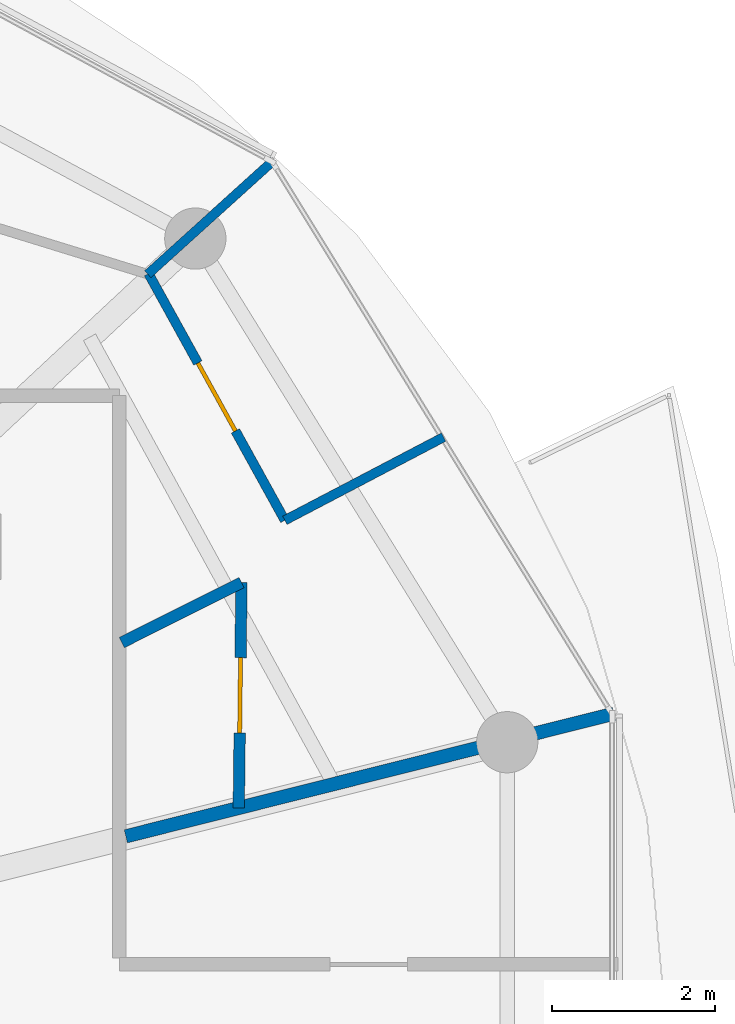
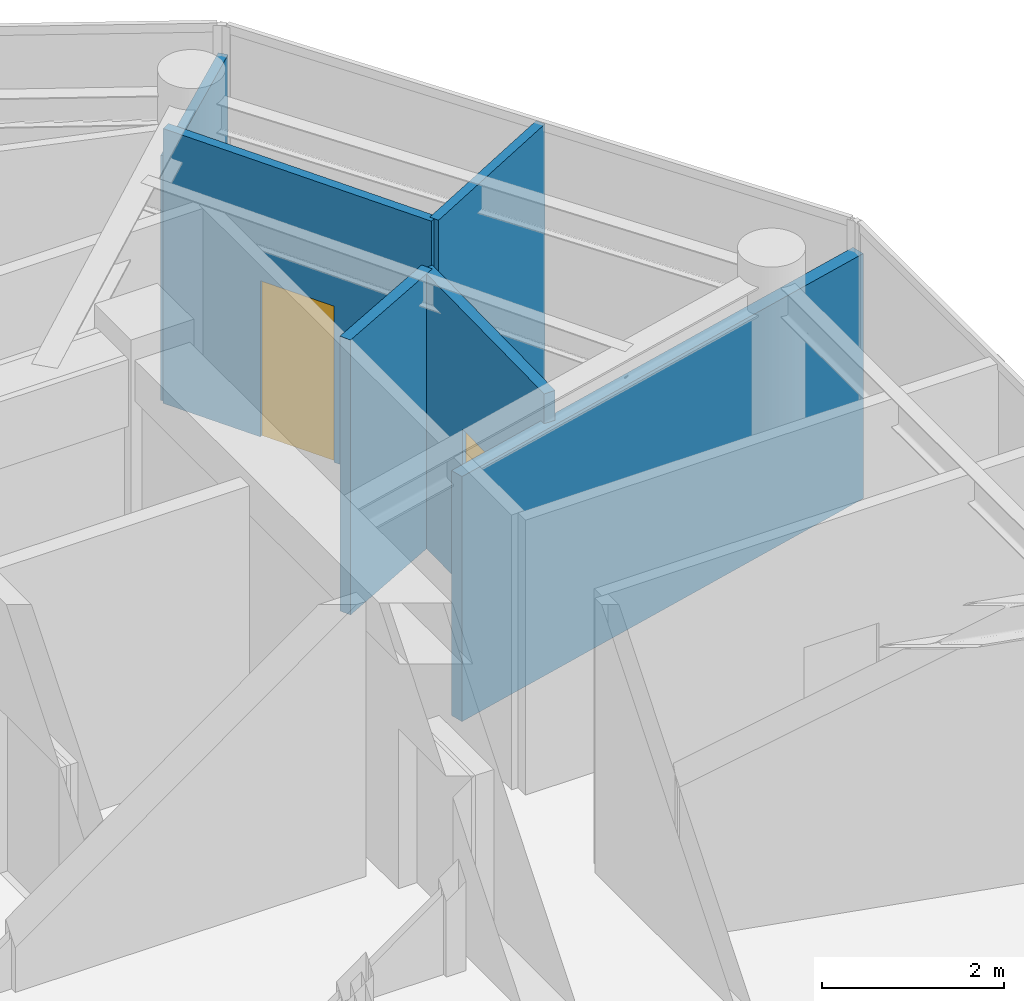
# One storey, part 19 of 24: 6 walls, 2 doors, 2 openings.
"""IFC4 building model written with IfcOpenShell, lengths in metres."""

from ifc_helpers import new_model, si_unit, direction, frame, frame_2d, origin, place, context, subcontext, project, spatial, rectangle, extrude, source, transform, mapped, material, layer, layer_set, type_object, type_shapes, element, fill, save


model = new_model("IFC4")

# Units and contexts
model_context = context("Model", 3, precision=1e-05, world=origin(), true_north=direction((0.0, 1.0)))
body_context = subcontext(model_context, "Body", "Model", "MODEL_VIEW")
ifc_project = project(units=[si_unit("LENGTHUNIT", "METRE"), si_unit("AREAUNIT", "SQUARE_METRE"), si_unit("VOLUMEUNIT", "CUBIC_METRE"), si_unit("PLANEANGLEUNIT", "RADIAN"), si_unit("MASSUNIT", "GRAM", prefix="KILO")], contexts=[model_context])

# Site, building, storey
site_placement = place(None, origin())
site = spatial("IfcSite", under=ifc_project, at=site_placement, CompositionType="ELEMENT")
building_placement = place(site_placement, origin())
building = spatial("IfcBuilding", under=site, at=building_placement, Name="Norrkilde Senior Care Towers", CompositionType="ELEMENT")
storey_placement = place(building_placement, frame((0.0, 0.0, 203.800048828125)))
storey = spatial("IfcBuildingStorey", under=building, at=storey_placement, Name="L63", CompositionType="ELEMENT", Elevation=203.800048828125)

# Walls
ifc_material_1 = material(Name="Gypsum Acoustic Board")
ifc_layer_1 = layer(ifc_material_1, 0.1650390625)
ifc_layer_set_1 = layer_set([ifc_layer_1], Name="Gypsum Acoustic Board")
wall_type_1 = type_object("IfcWallType", Name="Corridor Rated Partition 165", PredefinedType="PARTITIONING", material=ifc_layer_set_1)
shared_shape_1 = source(origin(), body_context, "Body", "SweptSolid", [
    extrude(rectangle(XDim=6.1572265625, YDim=0.1650390625, at=frame_2d((3.07861328125, 0.0))), origin(), (0.0, 0.0, 1.0), 3.294921875),
])
type_shapes(wall_type_1, [shared_shape_1])
wall_1_placement = place(storey_placement, frame((37.580078125, 2.407470703125, 0.0), z_axis=(0.0, 0.0, 1.0), x_axis=(0.969840867184, 0.243738984038, 0.0)))
element("IfcWall", 1, at=wall_1_placement, inside=storey, type_object=wall_type_1, Name="WL-INT-L63-E-DEM-00-0", PredefinedType="PARTITIONING", context=body_context, shape_type="MappedRepresentation", body=[
    mapped(shared_shape_1, transform((0.0, 0.0, 0.0), x_axis=(1.0, 0.0, 0.0), y_axis=(0.0, 1.0, 0.0), z_axis=(0.0, 0.0, 1.0), scale=1.0)),
])
ifc_layer_2 = layer(ifc_material_1, 0.114990234375)
ifc_layer_set_2 = layer_set([ifc_layer_2], Name="Gypsum Acoustic Board")
wall_type_2 = type_object("IfcWallType", Name="Internal Room Partition 115", PredefinedType="PARTITIONING", material=ifc_layer_set_2)
shared_shape_2 = source(origin(), body_context, "Body", "SweptSolid", [
    extrude(rectangle(XDim=2.071533203125, YDim=0.114990234375, at=frame_2d((1.03564453125, 0.0))), origin(), (0.0, 0.0, 1.0), 3.294921875),
])
wall_2_placement = place(storey_placement, frame((37.8486328125, 9.287109375, 0.0), z_axis=(0.0, 0.0, 1.0), x_axis=(0.741410125356, 0.671052178314, 0.0)))
element("IfcWall", 2, at=wall_2_placement, inside=storey, type_object=wall_type_2, Name="WL-INT-L63-E-UBR-00-1", PredefinedType="PARTITIONING", context=body_context, shape_type="MappedRepresentation", body=[
    mapped(shared_shape_2, transform((0.0, 0.0, 0.0), x_axis=(1.0, 0.0, 0.0), y_axis=(0.0, 1.0, 0.0), z_axis=(0.0, 0.0, 1.0), scale=1.0)),
])
ifc_layer_3 = layer(ifc_material_1, 0.139892578125)
ifc_layer_set_3 = layer_set([ifc_layer_3], Name="Gypsum Acoustic Board")
wall_type_3 = type_object("IfcWallType", Name="En-suite Wet Room Wall 140", PredefinedType="PARTITIONING", material=ifc_layer_set_3)
shared_shape_3 = source(origin(), body_context, "Body", "SweptSolid", [
    extrude(rectangle(XDim=1.638427734375, YDim=0.139892578125, at=frame_2d((0.8193359375, 0.0))), origin(), (0.0, 0.0, 1.0), 3.695068359375),
])
wall_3_placement = place(storey_placement, frame((37.530029296875, 4.7783203125, 0.0), z_axis=(0.0, 0.0, 1.0), x_axis=(0.893919977945, 0.448226586707, 0.0)))
element("IfcWall", 3, at=wall_3_placement, inside=storey, type_object=wall_type_3, Name="WL-INT-L63-E-UBTS-00", PredefinedType="PARTITIONING", context=body_context, shape_type="MappedRepresentation", body=[
    mapped(shared_shape_3, transform((0.0, 0.0, 0.0), x_axis=(1.0, 0.0, 0.0), y_axis=(0.0, 1.0, 0.0), z_axis=(0.0, 0.0, 1.0), scale=1.0)),
])

# Wall, opening, door
shared_shape_4 = source(origin(), body_context, "Body", "SweptSolid", [
    extrude(rectangle(XDim=2.7587890625, YDim=0.139892578125, at=frame_2d((1.37939453125, 0.0))), origin(), (0.0, 0.0, 1.0), 3.695068359375),
])
type_shapes(wall_type_3, [shared_shape_3, shared_shape_4])
wall_4_placement = place(storey_placement, frame((38.99462890625, 5.5126953125, 0.0), z_axis=(0.0, 0.0, 1.0), x_axis=(-0.01194710728, -0.999928630767, 0.0)))
wall_4 = element("IfcWall", 4, at=wall_4_placement, inside=storey, type_object=wall_type_3, Name="WL-INT-L63-E-UBTF-00", PredefinedType="PARTITIONING", context=body_context, shape_type="MappedRepresentation", body=[
    mapped(shared_shape_4, transform((0.0, 0.0, 0.0), x_axis=(1.0, 0.0, 0.0), y_axis=(0.0, 1.0, 0.0), z_axis=(0.0, 0.0, 1.0), scale=1.0)),
])
opening_1_placement = place(wall_4_placement, frame((0.91943359375, 0.0, 0.0)))
opening_1 = element("IfcOpeningElement", 5, at=opening_1_placement, cuts=wall_4, Name="Opening D-08", PredefinedType="OPENING", context=body_context, shape_type="SweptSolid", body=[
    extrude(rectangle(XDim=0.919921875, YDim=2.10009765625, at=frame_2d((0.4599609375, 1.050048828125))), frame((0.0, 0.079833984375, 0.0), z_axis=(0.0, -1.0, 0.0), x_axis=(1.0, 0.0, 0.0)), (0.0, 0.0, 1.0), 0.159912109375),
])
ifc_material_2 = material(Name="Nordic Ash Timber", Category="wood")
door_type_1 = type_object("IfcDoorType", Name="Accessible Wet Room Door 920x2100", OperationType="NOTDEFINED", PredefinedType="DOOR", material=ifc_material_2)
shared_shape_5 = source(origin(), body_context, "Body", "SweptSolid", [
    extrude(rectangle(XDim=0.919921875, YDim=2.10009765625, at=frame_2d((0.4599609375, 1.050048828125))), frame((0.0, 0.02490234375, 0.0), z_axis=(0.0, -1.0, 0.0), x_axis=(1.0, 0.0, 0.0)), (0.0, 0.0, 1.0), 0.050048828125),
])
type_shapes(door_type_1, [shared_shape_5])
door_1_placement = place(opening_1_placement, origin())
door_1 = element("IfcDoor", 6, at=door_1_placement, inside=storey, type_object=door_type_1, Name="Apartment 63A Bathroom Door", OperationType="SINGLE_SWING_RIGHT", OverallHeight=2.10009765625, OverallWidth=0.919921875, PredefinedType="DOOR", context=body_context, shape_type="MappedRepresentation", body=[
    mapped(shared_shape_5, transform((0.0, 0.0, 0.0), x_axis=(1.0, 0.0, 0.0), y_axis=(0.0, 1.0, 0.0), z_axis=(0.0, 0.0, 1.0), scale=1.0)),
])
fill(opening_1, door_1)

# Wall
shared_shape_6 = source(origin(), body_context, "Body", "SweptSolid", [
    extrude(rectangle(XDim=2.193115234375, YDim=0.114990234375, at=frame_2d((1.0966796875, 0.0))), origin(), (0.0, 0.0, 1.0), 3.695068359375),
])
wall_5_placement = place(storey_placement, frame((39.525390625, 6.27490234375, 0.0), z_axis=(0.0, 0.0, 1.0), x_axis=(0.885783595046, 0.464098505435, 0.0)))
element("IfcWall", 7, at=wall_5_placement, inside=storey, type_object=wall_type_2, Name="WL-INT-L63-E-UKTS-00", PredefinedType="PARTITIONING", context=body_context, shape_type="MappedRepresentation", body=[
    mapped(shared_shape_6, transform((0.0, 0.0, 0.0), x_axis=(1.0, 0.0, 0.0), y_axis=(0.0, 1.0, 0.0), z_axis=(0.0, 0.0, 1.0), scale=1.0)),
])

# Wall, opening, door
shared_shape_7 = source(origin(), body_context, "Body", "SweptSolid", [
    extrude(rectangle(XDim=3.4501953125, YDim=0.114990234375, at=frame_2d((1.72509765625, 0.0))), origin(), (0.0, 0.0, 1.0), 3.695068359375),
])
type_shapes(wall_type_2, [shared_shape_2, shared_shape_6, shared_shape_7])
wall_6_placement = place(storey_placement, frame((39.525390625, 6.27490234375, 0.0), z_axis=(0.0, 0.0, 1.0), x_axis=(-0.483659007882, 0.875256513312, 0.0)))
wall_6 = element("IfcWall", 8, at=wall_6_placement, inside=storey, type_object=wall_type_2, Name="WL-INT-L63-E-UKTF-00", PredefinedType="PARTITIONING", context=body_context, shape_type="MappedRepresentation", body=[
    mapped(shared_shape_7, transform((0.0, 0.0, 0.0), x_axis=(1.0, 0.0, 0.0), y_axis=(0.0, 1.0, 0.0), z_axis=(0.0, 0.0, 1.0), scale=1.0)),
])
opening_2_placement = place(wall_6_placement, frame((1.25, 0.0, 0.0)))
opening_2 = element("IfcOpeningElement", 9, at=opening_2_placement, cuts=wall_6, Name="Opening D-07", PredefinedType="OPENING", context=body_context, shape_type="SweptSolid", body=[
    extrude(rectangle(XDim=0.949951171875, YDim=2.10009765625, at=frame_2d((0.47509765625, 1.050048828125))), frame((0.0, 0.0673828125, 0.0), z_axis=(0.0, -1.0, 0.0), x_axis=(1.0, 0.0, 0.0)), (0.0, 0.0, 1.0), 0.135009765625),
])
door_type_2 = type_object("IfcDoorType", Name="Internal Suite Bedroom Door 950x2100", OperationType="NOTDEFINED", PredefinedType="DOOR", material=ifc_material_2)
shared_shape_8 = source(origin(), body_context, "Body", "SweptSolid", [
    extrude(rectangle(XDim=0.949951171875, YDim=2.10009765625, at=frame_2d((0.47509765625, 1.050048828125))), frame((0.0, 0.02490234375, 0.0), z_axis=(0.0, -1.0, 0.0), x_axis=(1.0, 0.0, 0.0)), (0.0, 0.0, 1.0), 0.050048828125),
])
type_shapes(door_type_2, [shared_shape_8])
door_2_placement = place(opening_2_placement, frame((0.949951171875, 0.0, 0.0), z_axis=(0.0, 0.0, 1.0), x_axis=(-1.0, 0.0, 0.0)))
door_2 = element("IfcDoor", 10, at=door_2_placement, inside=storey, type_object=door_type_2, Name="Apartment 63A Kitchen Door", OperationType="SINGLE_SWING_LEFT", OverallHeight=2.10009765625, OverallWidth=0.949951171875, PredefinedType="DOOR", context=body_context, shape_type="MappedRepresentation", body=[
    mapped(shared_shape_8, transform((0.0, 0.0, 0.0), x_axis=(1.0, 0.0, 0.0), y_axis=(0.0, 1.0, 0.0), z_axis=(0.0, 0.0, 1.0), scale=1.0)),
])
fill(opening_2, door_2)

save(model, "model.ifc")
